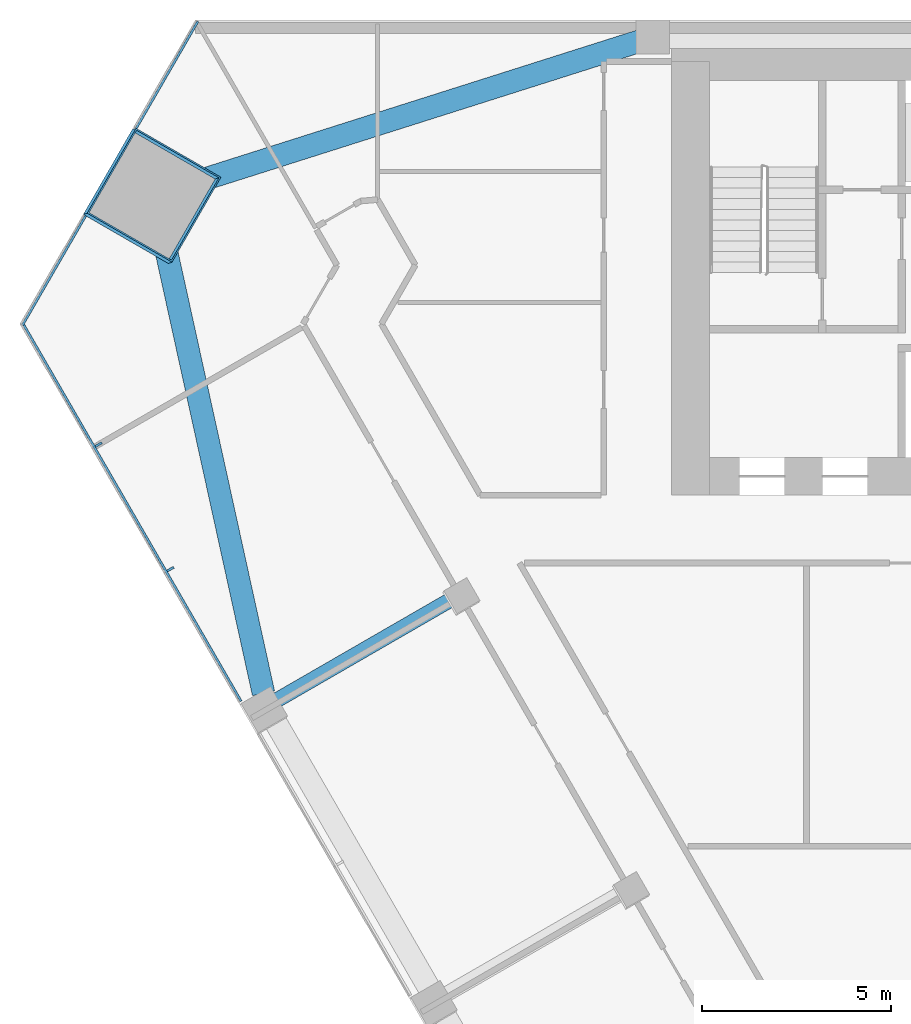
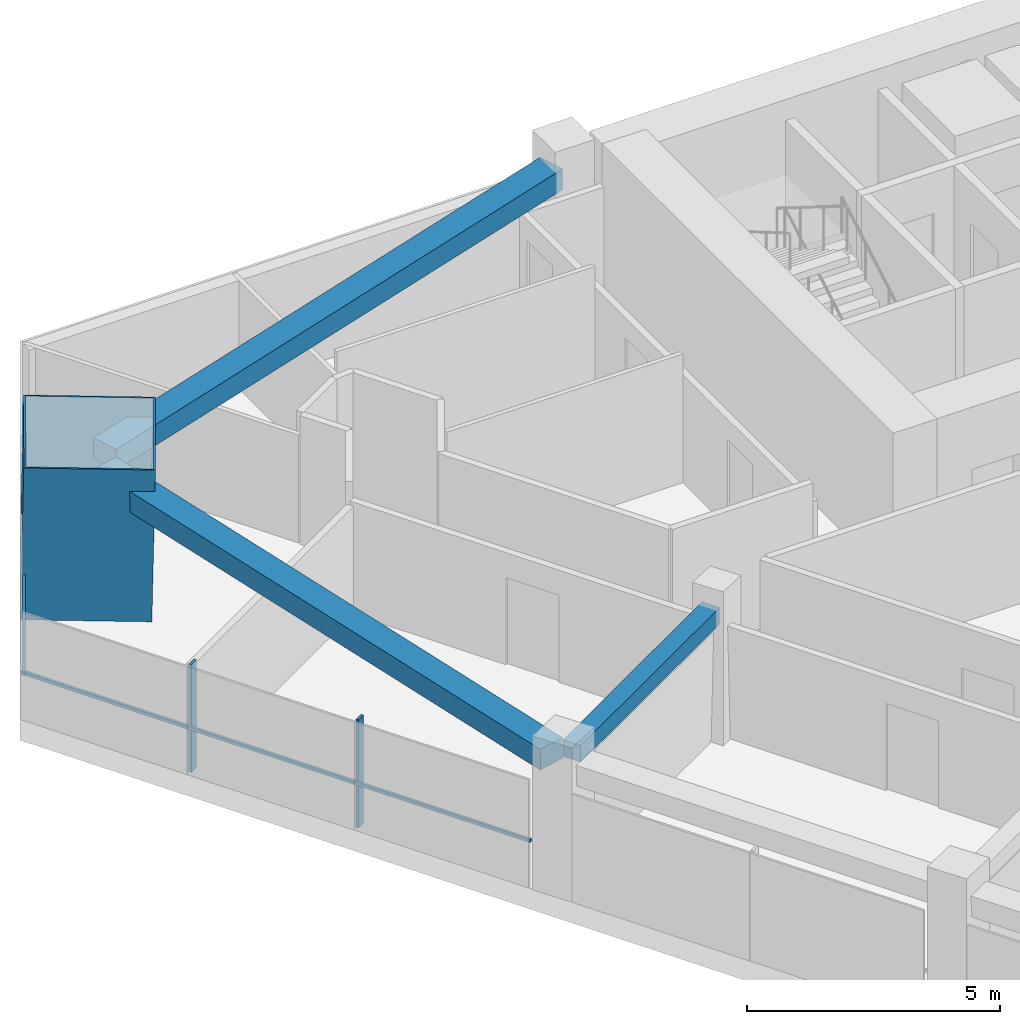
# One storey, part 5 of 13: 6 members, 3 beams, 2 elements without a shape of their own.
"""IFC4 building model written with IfcOpenShell, lengths in metres."""

from ifc_helpers import new_model, si_unit, direction, frame, origin, origin_2d, place, context, subcontext, project, spatial, rectangle, hollow_rectangle, extrude, material, layer, layer_set, material_profile, profile_set, type_object, element, aggregate, save


model = new_model("IFC4")

# Units and contexts
model_context = context("Model", 3, precision=1e-05, world=origin(), true_north=direction((0.0, 1.0)))
body_context = subcontext(model_context, "Body", "Model", "MODEL_VIEW")
ifc_project = project(units=[si_unit("LENGTHUNIT", "METRE"), si_unit("AREAUNIT", "SQUARE_METRE"), si_unit("VOLUMEUNIT", "CUBIC_METRE"), si_unit("PLANEANGLEUNIT", "RADIAN"), si_unit("MASSUNIT", "GRAM", prefix="KILO")], contexts=[model_context])

# Site, building, storey
site_placement = place(None, origin())
site = spatial("IfcSite", under=ifc_project, at=site_placement, CompositionType="ELEMENT")
building_placement = place(site_placement, origin())
building = spatial("IfcBuilding", under=site, at=building_placement, Name="Altiplano Prism Tower", CompositionType="ELEMENT")
storey_placement = place(building_placement, frame((0.0, 0.0, 59.39990234375)))
storey = spatial("IfcBuildingStorey", under=building, at=storey_placement, Name="L14", CompositionType="ELEMENT", Elevation=59.39990234375)

# Curtain wall, members
ifc_material_1 = material(Name="Aluminium and glass", Category="aluminium")
ifc_layer = layer(ifc_material_1, 0.303955078125)
ifc_layer_set = layer_set([ifc_layer], Name="Aluminium and glass")
curtain_wall_type = type_object("IfcCurtainWallType", Name="CW2 lounge-band unitised glazing", PredefinedType="NOTDEFINED", material=ifc_layer_set)
curtain_wall_1_placement = place(storey_placement, origin())
curtain_wall_1 = element("IfcCurtainWall", 1, at=curtain_wall_1_placement, inside=storey, type_object=curtain_wall_type, Name="CW2 curtain wall south-west face L14", PredefinedType="NOTDEFINED")
ifc_material_2 = material(Name="Aluminium", Category="aluminium")
ifc_material_profile_1 = material_profile(ifc_material_2, rectangle(XDim=0.199951171875, YDim=0.06005859375, at=origin_2d()), Name="CW2 mullion 60 x 200")
ifc_profile_set_1 = profile_set([ifc_material_profile_1], Name="Aluminium")
member_type_1 = type_object("IfcMemberType", Name="CW2 mullion 60 x 200", PredefinedType="MULLION", material=ifc_profile_set_1)
member_1_placement = place(storey_placement, frame((56.803466796875, 93.739501953125, 0.0), z_axis=(0.0, 0.0, 1.0), x_axis=(0.866025407284, 0.499999993939, 0.0)))
member_1 = element("IfcMember", 2, at=member_1_placement, type_object=member_type_1, Name="CW2 mullion", PredefinedType="MULLION", context=body_context, shape_type="SweptSolid", body=[
    extrude(rectangle(XDim=0.199951171875, YDim=0.06005859375, at=origin_2d()), origin(), (0.0, 0.0, 1.0), 2.60009765625),
])
member_2_placement = place(storey_placement, frame((58.7099609375, 90.437255859375, 0.0), z_axis=(0.0, 0.0, 1.0), x_axis=(0.866025407284, 0.499999993939, 0.0)))
member_2 = element("IfcMember", 3, at=member_2_placement, type_object=member_type_1, Name="CW2 mullion", PredefinedType="MULLION", context=body_context, shape_type="SweptSolid", body=[
    extrude(rectangle(XDim=0.199951171875, YDim=0.06005859375, at=origin_2d()), origin(), (0.0, 0.0, 1.0), 2.60009765625),
])

curtain_wall_2_placement = place(storey_placement, origin())
curtain_wall_2 = element("IfcCurtainWall", 4, at=curtain_wall_2_placement, inside=storey, type_object=curtain_wall_type, Name="CW2 curtain wall north-west chamfer L14", PredefinedType="NOTDEFINED")
ifc_material_profile_2 = material_profile(ifc_material_2, rectangle(XDim=0.06005859375, YDim=0.080078125, at=origin_2d()), Name="CW2 transom 80 x 60")
ifc_profile_set_2 = profile_set([ifc_material_profile_2], Name="Aluminium")
member_type_2 = type_object("IfcMemberType", Name="CW2 transom 80 x 60", PredefinedType="USERDEFINED", material=ifc_profile_set_2)
member_3_placement = place(storey_placement, frame((59.43798828125, 104.962890625, 1.10009765625), z_axis=(-0.499989298045, -0.866031582473, 0.0), x_axis=(0.866031582473, -0.499989298045, 0.0)))
member_3 = element("IfcMember", 5, at=member_3_placement, type_object=member_type_2, Name="CW2 transom", ObjectType="TRANSOM", PredefinedType="USERDEFINED", context=body_context, shape_type="SweptSolid", body=[
    extrude(rectangle(XDim=0.06005859375, YDim=0.080078125, at=origin_2d()), origin(), (0.0, 0.0, 1.0), 3.2734375),
])
member_4_placement = place(storey_placement, frame((56.461181640625, 99.80712890625, 1.10009765625), z_axis=(-0.499959807992, -0.866048607408, 0.0), x_axis=(0.866048607408, -0.499959807992, 0.0)))
member_4 = element("IfcMember", 6, at=member_4_placement, type_object=member_type_2, Name="CW2 transom", ObjectType="TRANSOM", PredefinedType="USERDEFINED", context=body_context, shape_type="SweptSolid", body=[
    extrude(rectangle(XDim=0.06005859375, YDim=0.080078125, at=origin_2d()), origin(), (0.0, 0.0, 1.0), 3.353759765625),
])
aggregate(curtain_wall_2, [member_3, member_4])

# Member
member_5_placement = place(storey_placement, frame((54.784423828125, 96.9765625, 1.10009765625), z_axis=(0.500011000363, -0.866019052629, 0.0), x_axis=(0.866019052629, 0.500011000363, 0.0)))
member_5 = element("IfcMember", 7, at=member_5_placement, type_object=member_type_2, Name="CW2 transom", ObjectType="TRANSOM", PredefinedType="USERDEFINED", context=body_context, shape_type="SweptSolid", body=[
    extrude(rectangle(XDim=0.06005859375, YDim=0.080078125, at=origin_2d()), origin(), (0.0, 0.0, 1.0), 11.596435546875),
])

aggregate(curtain_wall_1, [member_1, member_2, member_5])

# Beams
ifc_material_3 = material(Name="Concrete C60/75", Category="concrete")
ifc_material_profile_3 = material_profile(ifc_material_3, rectangle(XDim=0.60009765625, YDim=0.5, at=origin_2d()), Name="Edge beam 600x500")
ifc_profile_set_3 = profile_set([ifc_material_profile_3], Name="Concrete C60/75")
beam_type_1 = type_object("IfcBeamType", Name="Edge beam 600x500", PredefinedType="SPANDREL", material=ifc_profile_set_3)
for number, where, z_axis, x_axis, name in (
    (8, (71.164306640625, 104.443603515625, 2.85009765625), (-0.953152389874, -0.302490531551, 0.0), (0.302490531551, -0.953152389874, 0.0), "Edge beam P04-M0 L15"),
    (9, (58.371826171875, 99.91357421875, 2.85009765625), (0.214624140569, -0.976696717659, 0.0), (0.976696717659, 0.214624140569, 0.0), "Edge beam M0-P11 L15"),
):
    element("IfcBeam", number, at=place(storey_placement, frame(where, z_axis=z_axis, x_axis=x_axis)), inside=storey, type_object=beam_type_1, Name=name, PredefinedType="SPANDREL", context=body_context, shape_type="SweptSolid", body=[
        extrude(rectangle(XDim=0.60009765625, YDim=0.5, at=origin_2d()), origin(), (0.0, 0.0, 1.0), 13.072509765625),
    ])

# Member
ifc_material_4 = material(Name="Steel S460", Category="steel")
ifc_material_profile_4 = material_profile(ifc_material_4, hollow_rectangle(XDim=2.60009765625, YDim=2.60009765625, WallThickness=0.0400390625, at=origin_2d()), Name="Mega column tube 2600")
ifc_profile_set_4 = profile_set([ifc_material_profile_4], Name="Steel S460")
member_type_3 = type_object("IfcMemberType", Name="Mega column tube 2600", PredefinedType="POST", material=ifc_profile_set_4)
member_6_placement = place(storey_placement, frame((58.173095703125, 100.31982421875, 0.0), z_axis=(0.028401796786, 0.009286506348, 0.999553449666), x_axis=(-0.866201881135, 0.49929484702, 0.019973904391)))
element("IfcMember", 10, at=member_6_placement, inside=storey, type_object=member_type_3, Name="Mega column tube M0 L14", PredefinedType="POST", context=body_context, shape_type="SweptSolid", body=[
    extrude(hollow_rectangle(XDim=2.60009765625, YDim=2.60009765625, WallThickness=0.0400390625, at=origin_2d()), origin(), (0.0, 0.0, 1.0), 3.601806640625),
])

# Beam
ifc_material_profile_5 = material_profile(ifc_material_3, rectangle(XDim=0.39990234375, YDim=0.39990234375, at=origin_2d()), Name="Tie beam 400x400")
ifc_profile_set_5 = profile_set([ifc_material_profile_5], Name="Concrete C60/75")
beam_type_2 = type_object("IfcBeamType", Name="Tie beam 400x400", PredefinedType="BEAM", material=ifc_profile_set_5)
beam_placement = place(storey_placement, frame((66.29345703125, 89.7119140625, 2.900146484375), z_axis=(-0.866023410697, -0.500003452112, 0.0), x_axis=(0.500003452112, -0.866023410697, 0.0)))
element("IfcBeam", 11, at=beam_placement, inside=storey, type_object=beam_type_2, Name="Tie beam I11 L15", PredefinedType="BEAM", context=body_context, shape_type="SweptSolid", body=[
    extrude(rectangle(XDim=0.39990234375, YDim=0.39990234375, at=origin_2d()), origin(), (0.0, 0.0, 1.0), 5.490234375),
])

save(model, "model.ifc")
